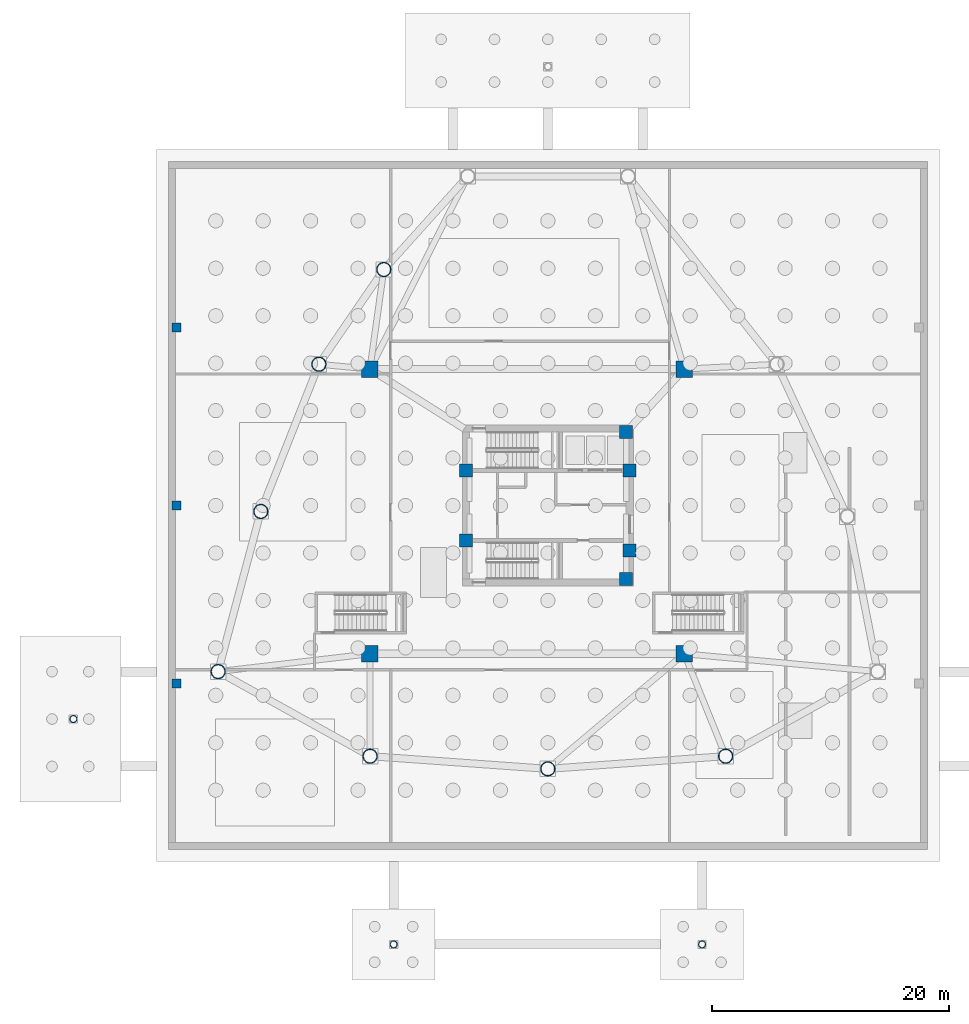
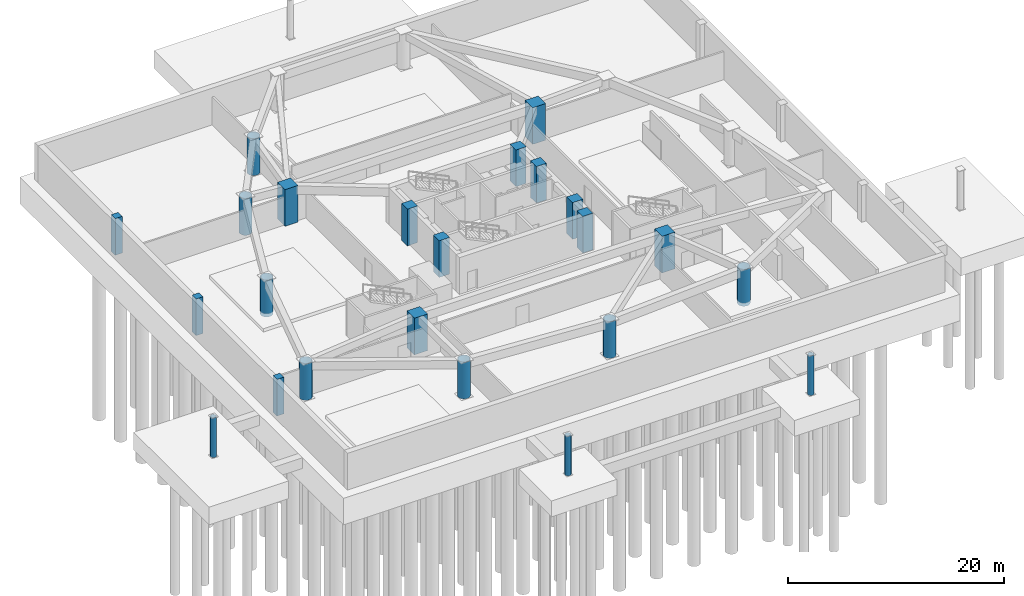
# One storey, part 3 of 11: 23 columns.
"""IFC4 building model written with IfcOpenShell, lengths in metres."""

from ifc_helpers import new_model, si_unit, direction, frame, origin, origin_2d, place, context, subcontext, project, spatial, rectangle, hollow_circle, extrude, material, material_profile, profile_set, type_object, element, save


model = new_model("IFC4")

# Units and contexts
model_context = context("Model", 3, precision=1e-05, world=origin(), true_north=direction((0.0, 1.0)))
body_context = subcontext(model_context, "Body", "Model", "MODEL_VIEW")
ifc_project = project(units=[si_unit("LENGTHUNIT", "METRE"), si_unit("AREAUNIT", "SQUARE_METRE"), si_unit("VOLUMEUNIT", "CUBIC_METRE"), si_unit("PLANEANGLEUNIT", "RADIAN"), si_unit("MASSUNIT", "GRAM", prefix="KILO")], contexts=[model_context])

# Site, building, storey
site_placement = place(None, origin())
site = spatial("IfcSite", under=ifc_project, at=site_placement, CompositionType="ELEMENT")
building_placement = place(site_placement, origin())
building = spatial("IfcBuilding", under=site, at=building_placement, Name="Tavelor Broadcast Tower", CompositionType="ELEMENT")
storey_placement = place(building_placement, frame((0.0, 0.0, -8.699951171875)))
storey = spatial("IfcBuildingStorey", under=building, at=storey_placement, Name="B02", CompositionType="ELEMENT", Elevation=-8.699951171875)

# Columns
ifc_material_1 = material(Name="Concrete C40/50", Category="concrete")
ifc_material_profile_1 = material_profile(ifc_material_1, rectangle(XDim=0.75, YDim=0.75, at=origin_2d()), Name="RC 750x750")
ifc_profile_set_1 = profile_set([ifc_material_profile_1], Name="Concrete C40/50")
column_type_1 = type_object("IfcColumnType", Name="Basement Retaining Pilaster RC750", PredefinedType="PILASTER", material=ifc_profile_set_1)
for number, where, z_axis, x_axis, name in (
    (1, (18.699951171875, 30.0, 0.0), (0.0, 0.0, 1.0), (1.0, 0.0, 0.0), "B02 Retaining Wall Pilaster 1"),
    (2, (18.699951171875, 45.0, 0.0), (0.0, 0.0, 1.0), (1.0, 0.0, 0.0), "B02 Retaining Wall Pilaster 2"),
    (3, (18.699951171875, 60.0, 0.0), (0.0, 0.0, 1.0), (1.0, 0.0, 0.0), "B02 Retaining Wall Pilaster 3"),
):
    element("IfcColumn", number, at=place(storey_placement, frame(where, z_axis=z_axis, x_axis=x_axis)), inside=storey, type_object=column_type_1, Name=name, PredefinedType="PILASTER", context=body_context, shape_type="SweptSolid", body=[
        extrude(rectangle(XDim=0.75, YDim=0.75, at=origin_2d()), origin(), (0.0, 0.0, 1.0), 4.14990234375),
    ])
ifc_material_2 = material(Name="Concrete C60/75", Category="concrete")
ifc_material_profile_2 = material_profile(ifc_material_2, rectangle(XDim=1.10009765625, YDim=1.10009765625, at=origin_2d()), Name="RC 1100x1100")
ifc_profile_set_2 = profile_set([ifc_material_profile_2], Name="Concrete C60/75")
column_type_2 = type_object("IfcColumnType", Name="Core Embedded Composite Column RC1100", PredefinedType="COLUMN", material=ifc_profile_set_2)
for number, where, z_axis, x_axis, name in (
    (4, (43.10009765625, 47.949951171875, 0.0), (0.0, 0.0, 1.0), (1.0, 0.0, 0.0), "B02 Core Embedded Column 1"),
    (5, (56.89990234375, 47.949951171875, 0.0), (0.0, 0.0, 1.0), (1.0, 0.0, 0.0), "B02 Core Embedded Column 2"),
    (6, (56.60009765625, 51.199951171875, 0.0), (0.0, 0.0, 1.0), (1.0, 0.0, 0.0), "B02 Core Embedded Column 3"),
    (7, (43.10009765625, 42.050048828125, 0.0), (0.0, 0.0, 1.0), (1.0, 0.0, 0.0), "B02 Core Embedded Column 4"),
    (8, (56.89990234375, 41.199951171875, 0.0), (0.0, 0.0, 1.0), (1.0, 0.0, 0.0), "B02 Core Embedded Column 5"),
    (9, (56.60009765625, 38.800048828125, 0.0), (0.0, 0.0, 1.0), (1.0, 0.0, 0.0), "B02 Core Embedded Column 6"),
):
    element("IfcColumn", number, at=place(storey_placement, frame(where, z_axis=z_axis, x_axis=x_axis)), inside=storey, type_object=column_type_2, Name=name, PredefinedType="COLUMN", context=body_context, shape_type="SweptSolid", body=[
        extrude(rectangle(XDim=1.10009765625, YDim=1.10009765625, at=origin_2d()), origin(), (0.0, 0.0, 1.0), 4.14990234375),
    ])
ifc_material_3 = material(Name="Steel S355", Category="steel")
ifc_material_profile_3 = material_profile(ifc_material_3, hollow_circle(Radius=0.304931640625, WallThickness=0.028076171875, at=origin_2d()), Name="CHS 610x28")
ifc_profile_set_3 = profile_set([ifc_material_profile_3], Name="Steel S355")
column_type_3 = type_object("IfcColumnType", Name="Plaza Canopy Mega Column CHS610", PredefinedType="COLUMN", material=ifc_profile_set_3)
for number, where, z_axis, x_axis, name in (
    (10, (10.0, 27.0, 0.0), (0.0, 0.0, 1.0), (1.0, 0.0, 0.0), "B02 Entrance Portal Foundation Column 2"),
    (11, (37.0, 8.0, 0.0), (0.0, 0.0, 1.0), (1.0, 0.0, 0.0), "B02 Entrance Portal Foundation Column 4"),
    (12, (63.0, 8.0, 0.0), (0.0, 0.0, 1.0), (1.0, 0.0, 0.0), "B02 Entrance Portal Foundation Column 5"),
):
    element("IfcColumn", number, at=place(storey_placement, frame(where, z_axis=z_axis, x_axis=x_axis)), inside=storey, type_object=column_type_3, Name=name, PredefinedType="COLUMN", context=body_context, shape_type="SweptSolid", body=[
        extrude(hollow_circle(Radius=0.304931640625, WallThickness=0.028076171875, at=origin_2d()), origin(), (0.0, 0.0, 1.0), 4.5),
    ])
ifc_material_profile_4 = material_profile(ifc_material_2, rectangle(XDim=1.39990234375, YDim=1.39990234375, at=origin_2d()), Name="RC 1400x1400")
ifc_profile_set_4 = profile_set([ifc_material_profile_4], Name="Concrete C60/75")
column_type_4 = type_object("IfcColumnType", Name="Podium Composite Mega Column RC1400", PredefinedType="COLUMN", material=ifc_profile_set_4)
for number, where, z_axis, x_axis, name in (
    (13, (35.0, 32.5, 0.0), (0.0, 0.0, 1.0), (1.0, 0.0, 0.0), "B02 Inner Mega Column 1"),
    (14, (61.5, 32.5, 0.0), (0.0, 0.0, 1.0), (1.0, 0.0, 0.0), "B02 Inner Mega Column 2"),
    (15, (61.5, 56.5, 0.0), (0.0, 0.0, 1.0), (1.0, 0.0, 0.0), "B02 Inner Mega Column 3"),
    (16, (35.0, 56.5, 0.0), (0.0, 0.0, 1.0), (1.0, 0.0, 0.0), "B02 Inner Mega Column 4"),
):
    element("IfcColumn", number, at=place(storey_placement, frame(where, z_axis=z_axis, x_axis=x_axis)), inside=storey, type_object=column_type_4, Name=name, PredefinedType="COLUMN", context=body_context, shape_type="SweptSolid", body=[
        extrude(rectangle(XDim=1.39990234375, YDim=1.39990234375, at=origin_2d()), origin(), (0.0, 0.0, 1.0), 4.14990234375),
    ])
ifc_material_4 = material(Name="Steel S460", Category="steel")
ifc_material_profile_5 = material_profile(ifc_material_4, hollow_circle(Radius=0.609619140625, WallThickness=0.050048828125, at=origin_2d()), Name="CHS 1219x50")
ifc_profile_set_5 = profile_set([ifc_material_profile_5], Name="Steel S460")
column_type_5 = type_object("IfcColumnType", Name="Podium Perimeter Mega Column CHS1219", PredefinedType="COLUMN", material=ifc_profile_set_5)
for number, where, z_axis, x_axis, name in (
    (17, (36.170166015625, 64.893310546875, 0.0), (0.0, 0.0, 1.0), (1.0, 0.0, 0.0), "B02 Outer Mega Column 2"),
    (18, (30.69921875, 56.9111328125, 0.0), (0.0, 0.0, 1.0), (1.0, 0.0, 0.0), "B02 Outer Mega Column 3"),
    (19, (25.800048828125, 44.5, 0.0), (0.0, 0.0, 1.0), (1.0, 0.0, 0.0), "B02 Outer Mega Column 4"),
    (20, (22.199951171875, 31.0, 0.0), (0.0, 0.0, 1.0), (1.0, 0.0, 0.0), "B02 Outer Mega Column 5"),
    (21, (35.01220703125, 23.87109375, 0.0), (0.0, 0.0, 1.0), (1.0, 0.0, 0.0), "B02 Outer Mega Column 6"),
    (22, (50.0, 22.800048828125, 0.0), (0.0, 0.0, 1.0), (1.0, 0.0, 0.0), "B02 Outer Mega Column 7"),
    (23, (64.98779296875, 23.87109375, 0.0), (0.0, 0.0, 1.0), (1.0, 0.0, 0.0), "B02 Outer Mega Column 8"),
):
    element("IfcColumn", number, at=place(storey_placement, frame(where, z_axis=z_axis, x_axis=x_axis)), inside=storey, type_object=column_type_5, Name=name, PredefinedType="COLUMN", context=body_context, shape_type="SweptSolid", body=[
        extrude(hollow_circle(Radius=0.609619140625, WallThickness=0.050048828125, at=origin_2d()), origin(), (0.0, 0.0, 1.0), 4.14990234375),
    ])

save(model, "model.ifc")
